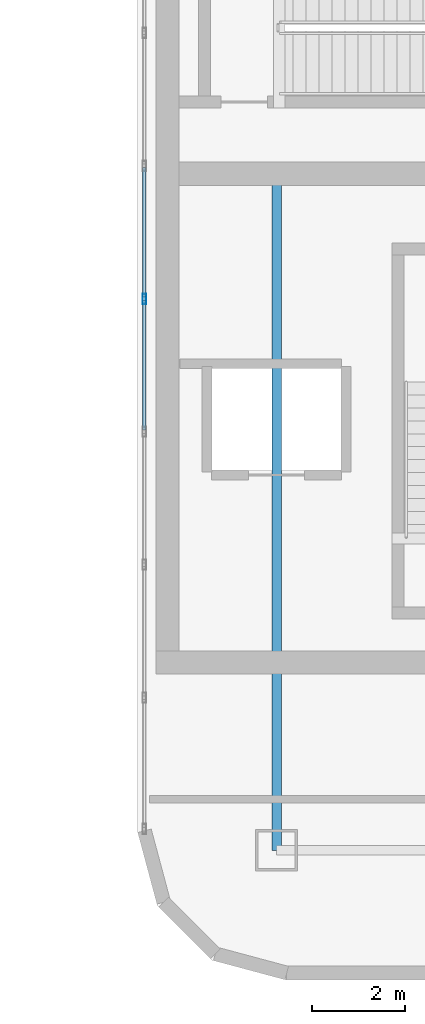
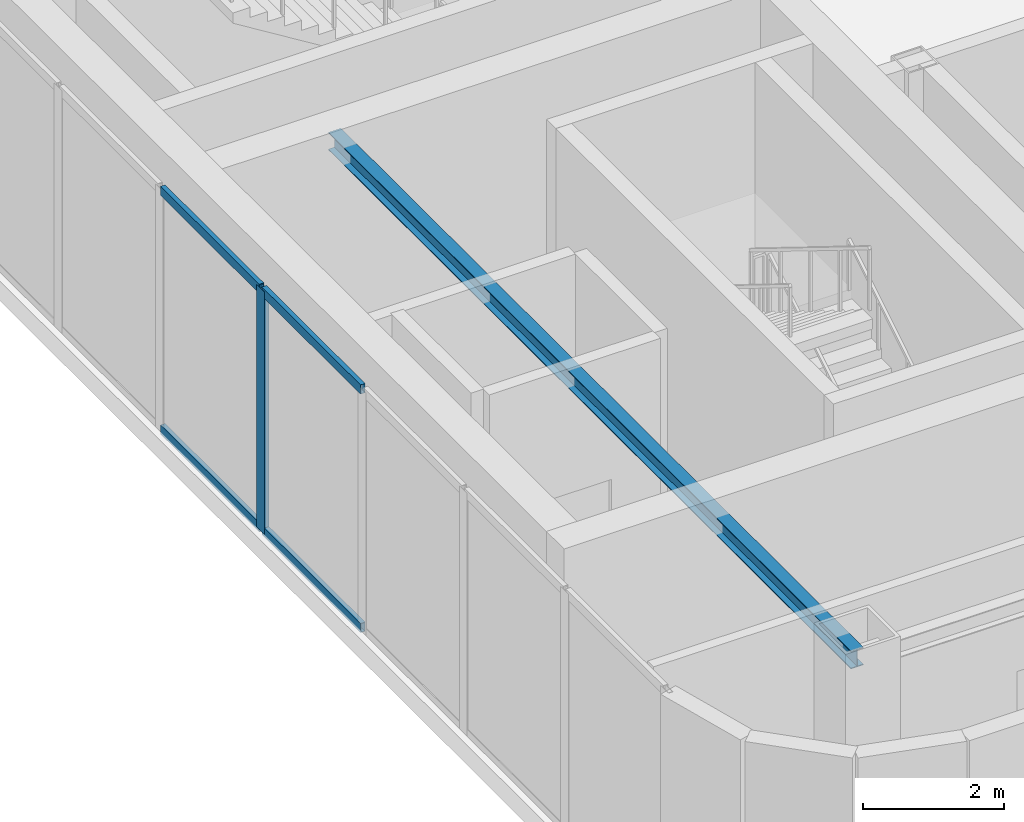
# One storey, part 3 of 14: 5 members, 1 beam, 1 element without a shape of its own.
"""IFC4 building model written with IfcOpenShell, lengths in metres."""

from ifc_helpers import new_model, si_unit, direction, frame, origin, origin_2d, place, context, subcontext, project, spatial, hollow_rectangle, i_section, extrude, material, layer, layer_set, material_profile, profile_set, type_object, element, aggregate, save


model = new_model("IFC4")

# Units and contexts
model_context = context("Model", 3, precision=1e-05, world=origin(), true_north=direction((0.0, 1.0)))
body_context = subcontext(model_context, "Body", "Model", "MODEL_VIEW")
ifc_project = project(units=[si_unit("LENGTHUNIT", "METRE"), si_unit("AREAUNIT", "SQUARE_METRE"), si_unit("VOLUMEUNIT", "CUBIC_METRE"), si_unit("PLANEANGLEUNIT", "RADIAN"), si_unit("MASSUNIT", "GRAM", prefix="KILO")], contexts=[model_context])

# Site, building, storey
site_placement = place(None, origin())
site = spatial("IfcSite", under=ifc_project, at=site_placement, CompositionType="ELEMENT")
building_placement = place(site_placement, origin())
building = spatial("IfcBuilding", under=site, at=building_placement, Name="Kiyonajd Concourse Tower", CompositionType="ELEMENT")
storey_placement = place(building_placement, frame((0.0, 0.0, 359.39990234375)))
storey = spatial("IfcBuildingStorey", under=building, at=storey_placement, Name="L90", CompositionType="ELEMENT", Elevation=359.39990234375)

# Beam
ifc_material_1 = material(Name="Steel ASTM A992 Grade 50", Category="steel")
ifc_material_profile_1 = material_profile(ifc_material_1, i_section(OverallWidth=0.2041015625, OverallDepth=0.305908203125, WebThickness=0.008544921875, FlangeThickness=0.0146484375, at=origin_2d()), Name="W310X67")
ifc_profile_set_1 = profile_set([ifc_material_profile_1], Name="Steel ASTM A992 Grade 50")
beam_type = type_object("IfcBeamType", Name="BM-CRN-310", PredefinedType="BEAM", material=ifc_profile_set_1)
beam_placement = place(storey_placement, frame((56.39990234375, 23.800048828125, 4.007080078125), z_axis=(0.0, 1.0, 0.0), x_axis=(-1.0, 0.0, 0.0)))
element("IfcBeam", 1, at=beam_placement, inside=storey, type_object=beam_type, Name="L90 E Crown Ring Beam 4S", PredefinedType="BEAM", context=body_context, shape_type="SweptSolid", body=[
    extrude(i_section(OverallWidth=0.2041015625, OverallDepth=0.305908203125, WebThickness=0.008544921875, FlangeThickness=0.0146484375, at=origin_2d()), origin(), (0.0, 0.0, 1.0), 14.800048828125),
])

# Curtain wall, members
ifc_material_2 = material(Name="Thermally Broken Anodised Aluminium", Category="aluminium")
ifc_layer = layer(ifc_material_2, 0.179931640625)
ifc_layer_set = layer_set([ifc_layer], Name="Thermally Broken Anodised Aluminium")
curtain_wall_type = type_object("IfcCurtainWallType", Name="CW-SYS-06", PredefinedType="NOTDEFINED", material=ifc_layer_set)
curtain_wall_placement = place(storey_placement, origin())
curtain_wall = element("IfcCurtainWall", 2, at=curtain_wall_placement, inside=storey, type_object=curtain_wall_type, Name="L90 Unitised Curtain Wall CW6", PredefinedType="NOTDEFINED")
ifc_material_profile_2 = material_profile(ifc_material_2, hollow_rectangle(XDim=0.074951171875, YDim=0.219970703125, WallThickness=0.0048828125, at=origin_2d()), Name="MULL-75x220")
ifc_profile_set_2 = profile_set([ifc_material_profile_2], Name="Thermally Broken Anodised Aluminium")
member_type_1 = type_object("IfcMemberType", Name="MB-CW-MULL2", PredefinedType="MULLION", material=ifc_profile_set_2)
member_1_placement = place(storey_placement, frame((53.550048828125, 35.699951171875, 0.0), z_axis=(0.0, 0.0, 1.0), x_axis=(-1.0, 0.0, 0.0)))
member_1 = element("IfcMember", 3, at=member_1_placement, type_object=member_type_1, Name="CW6 mullion 5", PredefinedType="MULLION", context=body_context, shape_type="SweptSolid", body=[
    extrude(hollow_rectangle(XDim=0.074951171875, YDim=0.219970703125, WallThickness=0.0048828125, at=origin_2d()), origin(), (0.0, 0.0, 1.0), 4.2001953125),
])
ifc_material_profile_3 = material_profile(ifc_material_2, hollow_rectangle(XDim=0.074951171875, YDim=0.159912109375, WallThickness=0.0048828125, at=origin_2d()), Name="TRAN-75x160")
ifc_profile_set_3 = profile_set([ifc_material_profile_3], Name="Thermally Broken Anodised Aluminium")
member_type_2 = type_object("IfcMemberType", Name="MB-CW-TRAN2", PredefinedType="USERDEFINED", material=ifc_profile_set_3)
member_2_placement = place(storey_placement, frame((53.550048828125, 32.867431640625, 0.03759765625), z_axis=(0.0, 1.0, 0.0), x_axis=(-1.0, 0.0, 0.0)))
member_2 = element("IfcMember", 4, at=member_2_placement, type_object=member_type_2, Name="CW6 transom 4.1", ObjectType="TRANSOM", PredefinedType="USERDEFINED", context=body_context, shape_type="SweptSolid", body=[
    extrude(hollow_rectangle(XDim=0.074951171875, YDim=0.159912109375, WallThickness=0.0048828125, at=origin_2d()), origin(), (0.0, 0.0, 1.0), 2.795166015625),
])
member_3_placement = place(storey_placement, frame((53.550048828125, 32.867431640625, 4.16259765625), z_axis=(0.0, 1.0, 0.0), x_axis=(-1.0, 0.0, 0.0)))
member_3 = element("IfcMember", 5, at=member_3_placement, type_object=member_type_2, Name="CW6 transom 4.2", ObjectType="TRANSOM", PredefinedType="USERDEFINED", context=body_context, shape_type="SweptSolid", body=[
    extrude(hollow_rectangle(XDim=0.074951171875, YDim=0.159912109375, WallThickness=0.0048828125, at=origin_2d()), origin(), (0.0, 0.0, 1.0), 2.795166015625),
])
member_4_placement = place(storey_placement, frame((53.550048828125, 35.737548828125, 0.03759765625), z_axis=(0.0, 1.0, 0.0), x_axis=(-1.0, 0.0, 0.0)))
member_4 = element("IfcMember", 6, at=member_4_placement, type_object=member_type_2, Name="CW6 transom 5.1", ObjectType="TRANSOM", PredefinedType="USERDEFINED", context=body_context, shape_type="SweptSolid", body=[
    extrude(hollow_rectangle(XDim=0.074951171875, YDim=0.159912109375, WallThickness=0.0048828125, at=origin_2d()), origin(), (0.0, 0.0, 1.0), 2.794921875),
])
member_5_placement = place(storey_placement, frame((53.550048828125, 35.737548828125, 4.16259765625), z_axis=(0.0, 1.0, 0.0), x_axis=(-1.0, 0.0, 0.0)))
member_5 = element("IfcMember", 7, at=member_5_placement, type_object=member_type_2, Name="CW6 transom 5.2", ObjectType="TRANSOM", PredefinedType="USERDEFINED", context=body_context, shape_type="SweptSolid", body=[
    extrude(hollow_rectangle(XDim=0.074951171875, YDim=0.159912109375, WallThickness=0.0048828125, at=origin_2d()), origin(), (0.0, 0.0, 1.0), 2.794921875),
])
aggregate(curtain_wall, [member_1, member_2, member_3, member_4, member_5])

save(model, "model.ifc")
